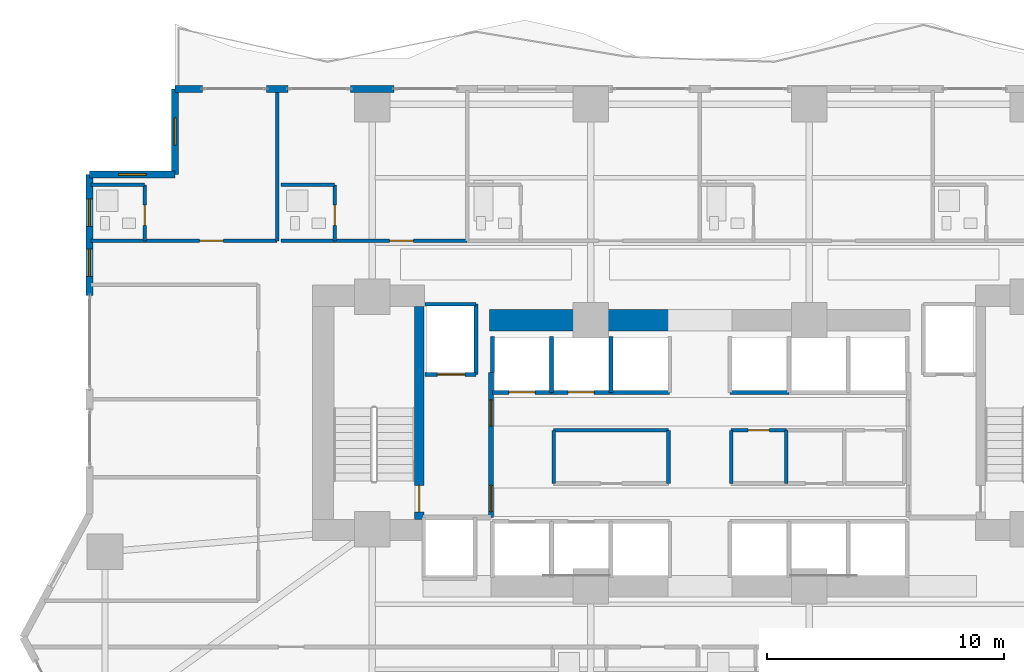
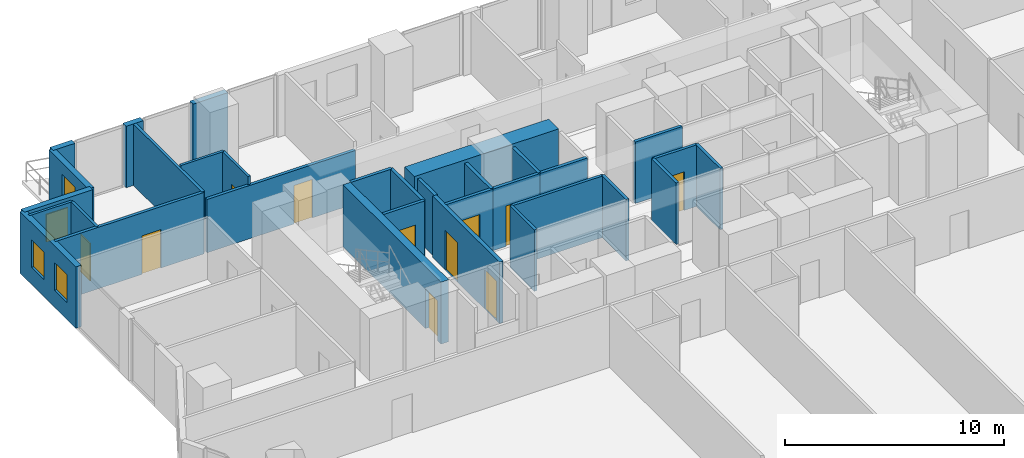
# One storey, part 21 of 30: 32 walls, 11 doors, 4 windows, 15 openings.
"""IFC4 building model written with IfcOpenShell, lengths in metres."""

from ifc_helpers import new_model, si_unit, direction, frame, frame_2d, origin, place, context, subcontext, project, spatial, rectangle, extrude, material, layer, layer_set, type_object, element, fill, save


model = new_model("IFC4")

# Units and contexts
model_context = context("Model", 3, precision=1e-05, world=origin(), true_north=direction((0.0, 1.0)))
body_context = subcontext(model_context, "Body", "Model", "MODEL_VIEW")
ifc_project = project(units=[si_unit("LENGTHUNIT", "METRE"), si_unit("AREAUNIT", "SQUARE_METRE"), si_unit("VOLUMEUNIT", "CUBIC_METRE"), si_unit("PLANEANGLEUNIT", "RADIAN"), si_unit("MASSUNIT", "GRAM", prefix="KILO")], contexts=[model_context])

# Site, building, storey
site_placement = place(None, origin())
site = spatial("IfcSite", under=ifc_project, at=site_placement, CompositionType="ELEMENT")
building_placement = place(site_placement, origin())
building = spatial("IfcBuilding", under=site, at=building_placement, Name="Zuhayl Quay Hotel", CompositionType="ELEMENT")
storey_placement = place(building_placement, frame((0.0, 0.0, 82.35009765625)))
storey = spatial("IfcBuildingStorey", under=building, at=storey_placement, Name="L20", CompositionType="ELEMENT", Elevation=82.35009765625)

# Wall
ifc_material_1 = material(Name="Concrete C70/85", Category="concrete")
ifc_layer_1 = layer(ifc_material_1, 0.89990234375, Name="Concrete C70/85", Category="concrete")
ifc_layer_set_1 = layer_set([ifc_layer_1], Name="Concrete C70/85")
wall_type_1 = type_object("IfcWallType", Name="WL_CORE_900", PredefinedType="SHEAR", material=ifc_layer_set_1)
wall_1_placement = place(storey_placement, frame((-8.85009765625, 13.35009765625, 0.0), z_axis=(0.0, 0.0, 1.0), x_axis=(1.0, 0.0, 0.0)))
element("IfcWall", 1, at=wall_1_placement, inside=storey, type_object=wall_type_1, Name="L20 Core Shear Wall CW_NC_W", PredefinedType="SHEAR", context=body_context, shape_type="SweptSolid", body=[
    extrude(rectangle(XDim=7.60009765625, YDim=0.89990234375, at=frame_2d((3.800048828125, 0.0))), origin(), (0.0, 0.0, 1.0), 3.429931640625),
])

# Wall, openings, windows
ifc_material_2 = material(Name="Precast concrete C45/55", Category="concrete")
ifc_layer_2 = layer(ifc_material_2, 0.300048828125, Name="Precast concrete C45/55", Category="concrete")
ifc_layer_set_2 = layer_set([ifc_layer_2], Name="Precast concrete C45/55")
wall_type_2 = type_object("IfcWallType", Name="WL_EXT_300", PredefinedType="STANDARD", material=ifc_layer_set_2)
wall_2_placement = place(storey_placement, frame((-25.699951171875, 14.39990234375, 0.0), z_axis=(0.0, 0.0, 1.0), x_axis=(0.0, 1.0, 0.0)))
wall_2 = element("IfcWall", 2, at=wall_2_placement, inside=storey, type_object=wall_type_2, Name="L20 Exterior Precast Wall ENV_L20_E05_EW3", PredefinedType="STANDARD", context=body_context, shape_type="SweptSolid", body=[
    extrude(rectangle(XDim=5.10009765625, YDim=0.300048828125, at=frame_2d((2.550048828125, 0.0))), origin(), (0.0, 0.0, 1.0), 3.429931640625),
])
opening_1_placement = place(wall_2_placement, frame((0.800048828125, 0.0, 0.949951171875)))
opening_1 = element("IfcOpeningElement", 3, at=opening_1_placement, cuts=wall_2, Name="Opening W01N", PredefinedType="OPENING", context=body_context, shape_type="SweptSolid", body=[
    extrude(rectangle(XDim=1.14990234375, YDim=1.550048828125, at=frame_2d((0.574951171875, 0.77490234375))), frame((0.0, 0.159912109375, 0.0), z_axis=(0.0, -1.0, 0.0), x_axis=(1.0, 0.0, 0.0)), (0.0, 0.0, 1.0), 0.320068359375),
])
opening_2_placement = place(wall_2_placement, frame((2.905029296875, 0.0, 0.949951171875)))
opening_2 = element("IfcOpeningElement", 4, at=opening_2_placement, cuts=wall_2, Name="Opening W01N", PredefinedType="OPENING", context=body_context, shape_type="SweptSolid", body=[
    extrude(rectangle(XDim=1.14990234375, YDim=1.550048828125, at=frame_2d((0.574951171875, 0.77490234375))), frame((0.0, 0.159912109375, 0.0), z_axis=(0.0, -1.0, 0.0), x_axis=(1.0, 0.0, 0.0)), (0.0, 0.0, 1.0), 0.320068359375),
])
ifc_material_3 = material(Name="Dark Ceramic-Fritted Solar Glass", Category="glass")
window_type = type_object("IfcWindowType", Name="WN_NOTCH_1350", PartitioningType="SINGLE_PANEL", PredefinedType="WINDOW", material=ifc_material_3)
window_1_placement = place(opening_1_placement, origin())
window_1 = element("IfcWindow", 5, at=window_1_placement, inside=storey, type_object=window_type, Name="L20 Operable Facade Window 3-1", OverallHeight=1.550048828125, OverallWidth=1.14990234375, PartitioningType="SINGLE_PANEL", PredefinedType="WINDOW", context=body_context, shape_type="SweptSolid", body=[
    extrude(rectangle(XDim=1.14990234375, YDim=1.550048828125, at=frame_2d((0.574951171875, 0.77490234375))), frame((0.0, 0.030029296875, 0.0), z_axis=(0.0, -1.0, 0.0), x_axis=(1.0, 0.0, 0.0)), (0.0, 0.0, 1.0), 0.06005859375),
])
fill(opening_1, window_1)
window_2_placement = place(opening_2_placement, origin())
window_2 = element("IfcWindow", 6, at=window_2_placement, inside=storey, type_object=window_type, Name="L20 Operable Facade Window 3-2", OverallHeight=1.550048828125, OverallWidth=1.14990234375, PartitioningType="SINGLE_PANEL", PredefinedType="WINDOW", context=body_context, shape_type="SweptSolid", body=[
    extrude(rectangle(XDim=1.14990234375, YDim=1.550048828125, at=frame_2d((0.574951171875, 0.77490234375))), frame((0.0, 0.030029296875, 0.0), z_axis=(0.0, -1.0, 0.0), x_axis=(1.0, 0.0, 0.0)), (0.0, 0.0, 1.0), 0.06005859375),
])
fill(opening_2, window_2)

# Wall, opening, window
wall_3_placement = place(storey_placement, frame((-25.699951171875, 19.5, 0.0), z_axis=(0.0, 0.0, 1.0), x_axis=(1.0, 0.0, 0.0)))
wall_3 = element("IfcWall", 7, at=wall_3_placement, inside=storey, type_object=wall_type_2, Name="L20 Exterior Precast Wall ENV_L20_EW06", PredefinedType="STANDARD", context=body_context, shape_type="SweptSolid", body=[
    extrude(rectangle(XDim=3.599853515625, YDim=0.300048828125, at=frame_2d((1.7998046875, 0.0))), origin(), (0.0, 0.0, 1.0), 3.429931640625),
])
opening_3_placement = place(wall_3_placement, frame((1.22509765625, 0.0, 1.25)))
opening_3 = element("IfcOpeningElement", 8, at=opening_3_placement, cuts=wall_3, Name="Opening W01N", PredefinedType="OPENING", context=body_context, shape_type="SweptSolid", body=[
    extrude(rectangle(XDim=1.14990234375, YDim=1.550048828125, at=frame_2d((0.574951171875, 0.77490234375))), frame((0.0, 0.159912109375, 0.0), z_axis=(0.0, -1.0, 0.0), x_axis=(1.0, 0.0, 0.0)), (0.0, 0.0, 1.0), 0.320068359375),
])
window_3_placement = place(opening_3_placement, origin())
window_3 = element("IfcWindow", 9, at=window_3_placement, inside=storey, type_object=window_type, Name="L20 Corner Notch Window 6", OverallHeight=1.550048828125, OverallWidth=1.14990234375, PartitioningType="SINGLE_PANEL", PredefinedType="WINDOW", context=body_context, shape_type="SweptSolid", body=[
    extrude(rectangle(XDim=1.14990234375, YDim=1.550048828125, at=frame_2d((0.574951171875, 0.77490234375))), frame((0.0, 0.030029296875, 0.0), z_axis=(0.0, -1.0, 0.0), x_axis=(1.0, 0.0, 0.0)), (0.0, 0.0, 1.0), 0.06005859375),
])
fill(opening_3, window_3)

wall_4_placement = place(storey_placement, frame((-22.10009765625, 19.5, 0.0), z_axis=(0.0, 0.0, 1.0), x_axis=(0.0, 1.0, 0.0)))
wall_4 = element("IfcWall", 10, at=wall_4_placement, inside=storey, type_object=wall_type_2, Name="L20 Exterior Precast Wall ENV_L20_EW07", PredefinedType="STANDARD", context=body_context, shape_type="SweptSolid", body=[
    extrude(rectangle(XDim=3.60009765625, YDim=0.300048828125, at=frame_2d((1.800048828125, 0.0))), origin(), (0.0, 0.0, 1.0), 3.429931640625),
])
opening_4_placement = place(wall_4_placement, frame((1.22509765625, 0.0, 1.25)))
opening_4 = element("IfcOpeningElement", 11, at=opening_4_placement, cuts=wall_4, Name="Opening W01N", PredefinedType="OPENING", context=body_context, shape_type="SweptSolid", body=[
    extrude(rectangle(XDim=1.14990234375, YDim=1.550048828125, at=frame_2d((0.574951171875, 0.77490234375))), frame((0.0, 0.159912109375, 0.0), z_axis=(0.0, -1.0, 0.0), x_axis=(1.0, 0.0, 0.0)), (0.0, 0.0, 1.0), 0.320068359375),
])
window_4_placement = place(opening_4_placement, origin())
window_4 = element("IfcWindow", 12, at=window_4_placement, inside=storey, type_object=window_type, Name="L20 Corner Notch Window 7", OverallHeight=1.550048828125, OverallWidth=1.14990234375, PartitioningType="SINGLE_PANEL", PredefinedType="WINDOW", context=body_context, shape_type="SweptSolid", body=[
    extrude(rectangle(XDim=1.14990234375, YDim=1.550048828125, at=frame_2d((0.574951171875, 0.77490234375))), frame((0.0, 0.030029296875, 0.0), z_axis=(0.0, -1.0, 0.0), x_axis=(1.0, 0.0, 0.0)), (0.0, 0.0, 1.0), 0.06005859375),
])
fill(opening_4, window_4)

# Walls
wall_5_placement = place(storey_placement, frame((-22.10009765625, 23.10009765625, 0.0), z_axis=(0.0, 0.0, 1.0), x_axis=(1.0, 0.0, 0.0)))
element("IfcWall", 13, at=wall_5_placement, inside=storey, type_object=wall_type_2, Name="L20 Exterior Precast Wall ENV_L20_N_EW1", PredefinedType="STANDARD", context=body_context, shape_type="SweptSolid", body=[
    extrude(rectangle(XDim=1.150146484375, YDim=0.300048828125, at=frame_2d((0.5751953125, 0.0))), origin(), (0.0, 0.0, 1.0), 3.429931640625),
])
wall_6_placement = place(storey_placement, frame((-18.25, 23.10009765625, 0.0), z_axis=(0.0, 0.0, 1.0), x_axis=(1.0, 0.0, 0.0)))
element("IfcWall", 14, at=wall_6_placement, inside=storey, type_object=wall_type_2, Name="L20 Exterior Precast Wall ENV_L20_N_EW2", PredefinedType="STANDARD", context=body_context, shape_type="SweptSolid", body=[
    extrude(rectangle(XDim=0.89990234375, YDim=0.300048828125, at=frame_2d((0.449951171875, 0.0))), origin(), (0.0, 0.0, 1.0), 3.429931640625),
])
wall_7_placement = place(storey_placement, frame((-14.719970703125, 23.10009765625, 0.0), z_axis=(0.0, 0.0, 1.0), x_axis=(1.0, 0.0, 0.0)))
element("IfcWall", 15, at=wall_7_placement, inside=storey, type_object=wall_type_2, Name="L20 Exterior Precast Wall ENV_L20_N_EW3", PredefinedType="STANDARD", context=body_context, shape_type="SweptSolid", body=[
    extrude(rectangle(XDim=1.840087890625, YDim=0.300048828125, at=frame_2d((0.919921875, 0.0))), origin(), (0.0, 0.0, 1.0), 3.429931640625),
])

# Wall, opening, door
ifc_material_4 = material(Name="Acoustic Gypsum Partition STC-58")
ifc_layer_3 = layer(ifc_material_4, 0.14990234375, Name="Acoustic Gypsum Partition STC-58")
ifc_layer_set_3 = layer_set([ifc_layer_3], Name="Acoustic Gypsum Partition STC-58")
wall_type_3 = type_object("IfcWallType", Name="WL_PART_150", PredefinedType="PARTITIONING", material=ifc_layer_set_3)
wall_8_placement = place(storey_placement, frame((1.320068359375, 8.719970703125, 0.0), z_axis=(0.0, 0.0, 1.0), x_axis=(1.0, 0.0, 0.0)))
wall_8 = element("IfcWall", 16, at=wall_8_placement, inside=storey, type_object=wall_type_3, Name="L20 Partition IW_L20_CORE_E1_N", PredefinedType="PARTITIONING", context=body_context, shape_type="SweptSolid", body=[
    extrude(rectangle(XDim=2.31982421875, YDim=0.14990234375, at=frame_2d((1.159912109375, 0.0))), origin(), (0.0, 0.0, 1.0), 3.429931640625),
])
opening_5_placement = place(wall_8_placement, frame((0.7099609375, 0.0, 0.0)))
opening_5 = element("IfcOpeningElement", 17, at=opening_5_placement, cuts=wall_8, Name="Opening D06", PredefinedType="OPENING", context=body_context, shape_type="SweptSolid", body=[
    extrude(rectangle(XDim=0.89990234375, YDim=2.14990234375, at=frame_2d((0.449951171875, 1.074951171875))), frame((0.0, 0.0849609375, 0.0), z_axis=(0.0, -1.0, 0.0), x_axis=(1.0, 0.0, 0.0)), (0.0, 0.0, 1.0), 0.169921875),
])
ifc_material_5 = material(Name="Steel ASTM A992 Grade 50", Category="steel")
door_type_1 = type_object("IfcDoorType", Name="DR_INT_900", OperationType="NOTDEFINED", PredefinedType="DOOR", material=ifc_material_5)
door_1_placement = place(opening_5_placement, origin())
door_1 = element("IfcDoor", 18, at=door_1_placement, inside=storey, type_object=door_type_1, Name="L20 Floor Electrical Closet Door", OperationType="SINGLE_SWING_RIGHT", OverallHeight=2.14990234375, OverallWidth=0.89990234375, PredefinedType="DOOR", context=body_context, shape_type="SweptSolid", body=[
    extrude(rectangle(XDim=0.89990234375, YDim=2.14990234375, at=frame_2d((0.449951171875, 1.074951171875))), frame((0.0, 0.02490234375, 0.0), z_axis=(0.0, -1.0, 0.0), x_axis=(1.0, 0.0, 0.0)), (0.0, 0.0, 1.0), 0.050048828125),
])
fill(opening_5, door_1)

# Walls
wall_9_placement = place(storey_placement, frame((-6.159912109375, 8.719970703125, 0.0), z_axis=(0.0, 0.0, 1.0), x_axis=(1.0, 0.0, 0.0)))
element("IfcWall", 19, at=wall_9_placement, inside=storey, type_object=wall_type_3, Name="L20 Partition IW_L20_CORE_SV_N", PredefinedType="PARTITIONING", context=body_context, shape_type="SweptSolid", body=[
    extrude(rectangle(XDim=4.83984375, YDim=0.14990234375, at=frame_2d((2.419921875, 0.0))), origin(), (0.0, 0.0, 1.0), 3.429931640625),
])
for number, where, z_axis, x_axis, name in (
    (20, (-6.159912109375, 6.47998046875, 0.0), (0.0, 0.0, 1.0), (0.0, 1.0, 0.0), "L20 Partition IW_L20_CORE_SV_W"),
    (21, (-1.320068359375, 6.47998046875, 0.0), (0.0, 0.0, 1.0), (0.0, 1.0, 0.0), "L20 Partition IW_L20_CORE_SV_E"),
    (22, (1.320068359375, 6.47998046875, 0.0), (0.0, 0.0, 1.0), (0.0, 1.0, 0.0), "L20 Partition IW_L20_CORE_E1_W"),
    (23, (3.639892578125, 6.47998046875, 0.0), (0.0, 0.0, 1.0), (0.0, 1.0, 0.0), "L20 Partition IW_L20_CORE_E1_E"),
):
    element("IfcWall", number, at=place(storey_placement, frame(where, z_axis=z_axis, x_axis=x_axis)), inside=storey, type_object=wall_type_3, Name=name, PredefinedType="PARTITIONING", context=body_context, shape_type="SweptSolid", body=[
        extrude(rectangle(XDim=2.239990234375, YDim=0.14990234375, at=frame_2d((1.1201171875, 0.0))), origin(), (0.0, 0.0, 1.0), 3.429931640625),
    ])
wall_10_placement = place(storey_placement, frame((-17.800048828125, 16.699951171875, 0.0), z_axis=(0.0, 0.0, 1.0), x_axis=(0.0, 1.0, 0.0)))
element("IfcWall", 24, at=wall_10_placement, inside=storey, type_object=wall_type_3, Name="L20 Partition IW_L20_NU01A_E", PredefinedType="PARTITIONING", context=body_context, shape_type="SweptSolid", body=[
    extrude(rectangle(XDim=6.320068359375, YDim=0.14990234375, at=frame_2d((3.16015625, 0.0))), origin(), (0.0, 0.0, 1.0), 3.429931640625),
])

# Wall, opening, door
ifc_layer_4 = layer(ifc_material_4, 0.159912109375, Name="Acoustic Gypsum Partition STC-58")
ifc_layer_set_4 = layer_set([ifc_layer_4], Name="Acoustic Gypsum Partition STC-58")
wall_type_4 = type_object("IfcWallType", Name="WL_PART_CORR_160", PredefinedType="PARTITIONING", material=ifc_layer_set_4)
wall_11_placement = place(storey_placement, frame((-25.639892578125, 16.699951171875, 0.0), z_axis=(0.0, 0.0, 1.0), x_axis=(1.0, 0.0, 0.0)))
wall_11 = element("IfcWall", 25, at=wall_11_placement, inside=storey, type_object=wall_type_4, Name="L20 Partition IW_L20_NU01A_COR", PredefinedType="PARTITIONING", context=body_context, shape_type="SweptSolid", body=[
    extrude(rectangle(XDim=7.83984375, YDim=0.159912109375, at=frame_2d((3.919921875, 0.0))), origin(), (0.0, 0.0, 1.0), 3.429931640625),
])
opening_6_placement = place(wall_11_placement, frame((4.570068359375, 0.0, 0.0)))
opening_6 = element("IfcOpeningElement", 26, at=opening_6_placement, cuts=wall_11, Name="Opening D03L", PredefinedType="OPENING", context=body_context, shape_type="SweptSolid", body=[
    extrude(rectangle(XDim=1.0, YDim=2.14990234375, at=frame_2d((0.5, 1.074951171875))), frame((0.0, 0.08984375, 0.0), z_axis=(0.0, -1.0, 0.0), x_axis=(1.0, 0.0, 0.0)), (0.0, 0.0, 1.0), 0.179931640625),
])
ifc_material_6 = material(Name="Solid Walnut Acoustic Fire Door")
door_type_2 = type_object("IfcDoorType", Name="DR_SUITE_1000", OperationType="NOTDEFINED", PredefinedType="DOOR", material=ifc_material_6)
door_2_placement = place(opening_6_placement, origin())
door_2 = element("IfcDoor", 27, at=door_2_placement, inside=storey, type_object=door_type_2, Name="L20 Deluxe Gulf Guest Room L20-01A Entrance Door", OperationType="SINGLE_SWING_RIGHT", OverallHeight=2.14990234375, OverallWidth=1.0, PredefinedType="DOOR", context=body_context, shape_type="SweptSolid", body=[
    extrude(rectangle(XDim=1.0, YDim=2.14990234375, at=frame_2d((0.5, 1.074951171875))), frame((0.0, 0.02490234375, 0.0), z_axis=(0.0, -1.0, 0.0), x_axis=(1.0, 0.0, 0.0)), (0.0, 0.0, 1.0), 0.050048828125),
])
fill(opening_6, door_2)

wall_12_placement = place(storey_placement, frame((-17.639892578125, 16.699951171875, 0.0), z_axis=(0.0, 0.0, 1.0), x_axis=(1.0, 0.0, 0.0)))
wall_12 = element("IfcWall", 28, at=wall_12_placement, inside=storey, type_object=wall_type_4, Name="L20 Partition IW_L20_NU01B_COR", PredefinedType="PARTITIONING", context=body_context, shape_type="SweptSolid", body=[
    extrude(rectangle(XDim=7.83984375, YDim=0.159912109375, at=frame_2d((3.919921875, 0.0))), origin(), (0.0, 0.0, 1.0), 2.972900390625),
])
opening_7_placement = place(wall_12_placement, frame((4.570068359375, 0.0, 0.0)))
opening_7 = element("IfcOpeningElement", 29, at=opening_7_placement, cuts=wall_12, Name="Opening D03L", PredefinedType="OPENING", context=body_context, shape_type="SweptSolid", body=[
    extrude(rectangle(XDim=1.0, YDim=2.14990234375, at=frame_2d((0.5, 1.074951171875))), frame((0.0, 0.08984375, 0.0), z_axis=(0.0, -1.0, 0.0), x_axis=(1.0, 0.0, 0.0)), (0.0, 0.0, 1.0), 0.179931640625),
])
door_3_placement = place(opening_7_placement, origin())
door_3 = element("IfcDoor", 30, at=door_3_placement, inside=storey, type_object=door_type_2, Name="L20 Deluxe Gulf Guest Room L20-01B Entrance Door", OperationType="SINGLE_SWING_RIGHT", OverallHeight=2.14990234375, OverallWidth=1.0, PredefinedType="DOOR", context=body_context, shape_type="SweptSolid", body=[
    extrude(rectangle(XDim=1.0, YDim=2.14990234375, at=frame_2d((0.5, 1.074951171875))), frame((0.0, 0.02490234375, 0.0), z_axis=(0.0, -1.0, 0.0), x_axis=(1.0, 0.0, 0.0)), (0.0, 0.0, 1.0), 0.050048828125),
])
fill(opening_7, door_3)

ifc_material_7 = material(Name="Moisture-Resistant Sanitarychase Gypsum")
ifc_layer_5 = layer(ifc_material_7, 0.135009765625, Name="Moisture-Resistant Sanitarychase Gypsum")
ifc_layer_set_5 = layer_set([ifc_layer_5], Name="Moisture-Resistant Sanitarychase Gypsum")
wall_type_5 = type_object("IfcWallType", Name="WL_PART_PLUMB_150", PredefinedType="PLUMBINGWALL", material=ifc_layer_set_5)
wall_13_placement = place(storey_placement, frame((-23.3798828125, 16.699951171875, 0.0), z_axis=(0.0, 0.0, 1.0), x_axis=(0.0, 1.0, 0.0)))
wall_13 = element("IfcWall", 31, at=wall_13_placement, inside=storey, type_object=wall_type_5, Name="L20 Partition IW_L20_NU01A_BE", PredefinedType="PLUMBINGWALL", context=body_context, shape_type="SweptSolid", body=[
    extrude(rectangle(XDim=2.360107421875, YDim=0.135009765625, at=frame_2d((1.18017578125, 0.0))), origin(), (0.0, 0.0, 1.0), 3.429931640625),
])
opening_8_placement = place(wall_13_placement, frame((0.64990234375, 0.0, 0.0)))
opening_8 = element("IfcOpeningElement", 32, at=opening_8_placement, cuts=wall_13, Name="Opening D04", PredefinedType="OPENING", context=body_context, shape_type="SweptSolid", body=[
    extrude(rectangle(XDim=0.85009765625, YDim=2.10009765625, at=frame_2d((0.425048828125, 1.050048828125))), frame((0.0, 0.077392578125, 0.0), z_axis=(0.0, -1.0, 0.0), x_axis=(1.0, 0.0, 0.0)), (0.0, 0.0, 1.0), 0.155029296875),
])
ifc_material_8 = material(Name="Moisture-Resistant Walnut Veneer")
door_type_3 = type_object("IfcDoorType", Name="DR_BATH_850", OperationType="NOTDEFINED", PredefinedType="DOOR", material=ifc_material_8)
door_4_placement = place(opening_8_placement, origin())
door_4 = element("IfcDoor", 33, at=door_4_placement, inside=storey, type_object=door_type_3, Name="L20 Deluxe Gulf Guest Room L20-01A En-Suite Door", OperationType="SINGLE_SWING_LEFT", OverallHeight=2.10009765625, OverallWidth=0.85009765625, PredefinedType="DOOR", context=body_context, shape_type="SweptSolid", body=[
    extrude(rectangle(XDim=0.85009765625, YDim=2.10009765625, at=frame_2d((0.425048828125, 1.050048828125))), frame((0.0, 0.02490234375, 0.0), z_axis=(0.0, -1.0, 0.0), x_axis=(1.0, 0.0, 0.0)), (0.0, 0.0, 1.0), 0.050048828125),
])
fill(opening_8, door_4)

wall_14_placement = place(storey_placement, frame((-15.3798828125, 16.699951171875, 0.0), z_axis=(0.0, 0.0, 1.0), x_axis=(0.0, 1.0, 0.0)))
wall_14 = element("IfcWall", 34, at=wall_14_placement, inside=storey, type_object=wall_type_5, Name="L20 Partition IW_L20_NU01B_BE", PredefinedType="PLUMBINGWALL", context=body_context, shape_type="SweptSolid", body=[
    extrude(rectangle(XDim=2.360107421875, YDim=0.135009765625, at=frame_2d((1.18017578125, 0.0))), origin(), (0.0, 0.0, 1.0), 3.429931640625),
])
opening_9_placement = place(wall_14_placement, frame((0.64990234375, 0.0, 0.0)))
opening_9 = element("IfcOpeningElement", 35, at=opening_9_placement, cuts=wall_14, Name="Opening D04", PredefinedType="OPENING", context=body_context, shape_type="SweptSolid", body=[
    extrude(rectangle(XDim=0.85009765625, YDim=2.10009765625, at=frame_2d((0.425048828125, 1.050048828125))), frame((0.0, 0.077392578125, 0.0), z_axis=(0.0, -1.0, 0.0), x_axis=(1.0, 0.0, 0.0)), (0.0, 0.0, 1.0), 0.155029296875),
])
door_5_placement = place(opening_9_placement, origin())
door_5 = element("IfcDoor", 36, at=door_5_placement, inside=storey, type_object=door_type_3, Name="L20 Deluxe Gulf Guest Room L20-01B En-Suite Door", OperationType="SINGLE_SWING_LEFT", OverallHeight=2.10009765625, OverallWidth=0.85009765625, PredefinedType="DOOR", context=body_context, shape_type="SweptSolid", body=[
    extrude(rectangle(XDim=0.85009765625, YDim=2.10009765625, at=frame_2d((0.425048828125, 1.050048828125))), frame((0.0, 0.02490234375, 0.0), z_axis=(0.0, -1.0, 0.0), x_axis=(1.0, 0.0, 0.0)), (0.0, 0.0, 1.0), 0.050048828125),
])
fill(opening_9, door_5)

# Walls
for number, where, z_axis, x_axis, name in (
    (37, (-25.639892578125, 19.06005859375, 0.0), (0.0, 0.0, 1.0), (1.0, 0.0, 0.0), "L20 Partition IW_L20_NU01A_BN"),
    (38, (-17.639892578125, 19.06005859375, 0.0), (0.0, 0.0, 1.0), (1.0, 0.0, 0.0), "L20 Partition IW_L20_NU01B_BN"),
):
    element("IfcWall", number, at=place(storey_placement, frame(where, z_axis=z_axis, x_axis=x_axis)), inside=storey, type_object=wall_type_5, Name=name, PredefinedType="PLUMBINGWALL", context=body_context, shape_type="SweptSolid", body=[
        extrude(rectangle(XDim=2.260009765625, YDim=0.135009765625, at=frame_2d((1.1298828125, 0.0))), origin(), (0.0, 0.0, 1.0), 3.429931640625),
    ])

# Wall, opening, door
ifc_material_9 = material(Name="Gypsum Fireboard Assembly EI-90")
ifc_layer_6 = layer(ifc_material_9, 0.1650390625, Name="Gypsum Fireboard Assembly EI-90")
ifc_layer_set_6 = layer_set([ifc_layer_6], Name="Gypsum Fireboard Assembly EI-90")
wall_type_6 = type_object("IfcWallType", Name="WL_PART_SHAFT_160", PredefinedType="PARTITIONING", material=ifc_layer_set_6)
wall_15_placement = place(storey_placement, frame((-11.580078125, 11.070068359375, 0.0), z_axis=(0.0, 0.0, 1.0), x_axis=(1.0, 0.0, 0.0)))
wall_15 = element("IfcWall", 39, at=wall_15_placement, inside=storey, type_object=wall_type_6, Name="L20 Partition IW_L20_SH_FL1_F", PredefinedType="PARTITIONING", context=body_context, shape_type="SweptSolid", body=[
    extrude(rectangle(XDim=2.16015625, YDim=0.1650390625, at=frame_2d((1.080078125, 0.0))), origin(), (0.0, 0.0, 1.0), 3.429931640625),
])
opening_10_placement = place(wall_15_placement, frame((0.530029296875, 0.0, 0.0)))
opening_10 = element("IfcOpeningElement", 40, at=opening_10_placement, cuts=wall_15, Name="Opening LD2", PredefinedType="OPENING", context=body_context, shape_type="SweptSolid", body=[
    extrude(rectangle(XDim=1.14990234375, YDim=2.25, at=frame_2d((0.574951171875, 1.125))), frame((0.0, 0.092529296875, 0.0), z_axis=(0.0, -1.0, 0.0), x_axis=(1.0, 0.0, 0.0)), (0.0, 0.0, 1.0), 0.18505859375),
])
ifc_material_10 = material(Name="Brushed Stainless Steel", Category="steel")
door_type_4 = type_object("IfcDoorType", Name="DR_LIFT_FF_1100", OperationType="SLIDING_TO_LEFT", PredefinedType="DOOR", material=ifc_material_10)
door_6_placement = place(opening_10_placement, origin())
door_6 = element("IfcDoor", 41, at=door_6_placement, inside=storey, type_object=door_type_4, Name="L20 Lift FL1 Sliding Landing Door", OperationType="SLIDING_TO_LEFT", OverallHeight=2.25, OverallWidth=1.14990234375, PredefinedType="DOOR", context=body_context, shape_type="SweptSolid", body=[
    extrude(rectangle(XDim=1.14990234375, YDim=2.25, at=frame_2d((0.574951171875, 1.125))), frame((0.0, 0.02490234375, 0.0), z_axis=(0.0, -1.0, 0.0), x_axis=(1.0, 0.0, 0.0)), (0.0, 0.0, 1.0), 0.050048828125),
])
fill(opening_10, door_6)

wall_16_placement = place(storey_placement, frame((-8.72998046875, 10.320068359375, 0.0), z_axis=(0.0, 0.0, 1.0), x_axis=(1.0, 0.0, 0.0)))
wall_16 = element("IfcWall", 42, at=wall_16_placement, inside=storey, type_object=wall_type_6, Name="L20 Partition IW_L20_SH_LP3_F", PredefinedType="PARTITIONING", context=body_context, shape_type="SweptSolid", body=[
    extrude(rectangle(XDim=2.47998046875, YDim=0.1650390625, at=frame_2d((1.239990234375, 0.0))), origin(), (0.0, 0.0, 1.0), 3.429931640625),
])
opening_11_placement = place(wall_16_placement, frame((0.68994140625, 0.0, 0.0)))
opening_11 = element("IfcOpeningElement", 43, at=opening_11_placement, cuts=wall_16, Name="Opening LD1", PredefinedType="OPENING", context=body_context, shape_type="SweptSolid", body=[
    extrude(rectangle(XDim=1.10009765625, YDim=2.25, at=frame_2d((0.550048828125, 1.125))), frame((0.0, 0.092529296875, 0.0), z_axis=(0.0, -1.0, 0.0), x_axis=(1.0, 0.0, 0.0)), (0.0, 0.0, 1.0), 0.18505859375),
])
door_type_5 = type_object("IfcDoorType", Name="DR_LIFT_PASS_1100", OperationType="SLIDING_TO_LEFT", PredefinedType="DOOR", material=ifc_material_10)
door_7_placement = place(opening_11_placement, origin())
door_7 = element("IfcDoor", 44, at=door_7_placement, inside=storey, type_object=door_type_5, Name="L20 Lift LP3 Sliding Landing Door", OperationType="SLIDING_TO_LEFT", OverallHeight=2.25, OverallWidth=1.10009765625, PredefinedType="DOOR", context=body_context, shape_type="SweptSolid", body=[
    extrude(rectangle(XDim=1.10009765625, YDim=2.25, at=frame_2d((0.550048828125, 1.125))), frame((0.0, 0.02490234375, 0.0), z_axis=(0.0, -1.0, 0.0), x_axis=(1.0, 0.0, 0.0)), (0.0, 0.0, 1.0), 0.050048828125),
])
fill(opening_11, door_7)

wall_17_placement = place(storey_placement, frame((-6.25, 10.320068359375, 0.0), z_axis=(0.0, 0.0, 1.0), x_axis=(1.0, 0.0, 0.0)))
wall_17 = element("IfcWall", 45, at=wall_17_placement, inside=storey, type_object=wall_type_6, Name="L20 Partition IW_L20_SH_LP4_F", PredefinedType="PARTITIONING", context=body_context, shape_type="SweptSolid", body=[
    extrude(rectangle(XDim=2.5, YDim=0.1650390625, at=frame_2d((1.25, 0.0))), origin(), (0.0, 0.0, 1.0), 3.429931640625),
])
opening_12_placement = place(wall_17_placement, frame((0.699951171875, 0.0, 0.0)))
opening_12 = element("IfcOpeningElement", 46, at=opening_12_placement, cuts=wall_17, Name="Opening LD1", PredefinedType="OPENING", context=body_context, shape_type="SweptSolid", body=[
    extrude(rectangle(XDim=1.10009765625, YDim=2.25, at=frame_2d((0.550048828125, 1.125))), frame((0.0, 0.092529296875, 0.0), z_axis=(0.0, -1.0, 0.0), x_axis=(1.0, 0.0, 0.0)), (0.0, 0.0, 1.0), 0.18505859375),
])
door_8_placement = place(opening_12_placement, origin())
door_8 = element("IfcDoor", 47, at=door_8_placement, inside=storey, type_object=door_type_5, Name="L20 Lift LP4 Sliding Landing Door", OperationType="SLIDING_TO_LEFT", OverallHeight=2.25, OverallWidth=1.10009765625, PredefinedType="DOOR", context=body_context, shape_type="SweptSolid", body=[
    extrude(rectangle(XDim=1.10009765625, YDim=2.25, at=frame_2d((0.550048828125, 1.125))), frame((0.0, 0.02490234375, 0.0), z_axis=(0.0, -1.0, 0.0), x_axis=(1.0, 0.0, 0.0)), (0.0, 0.0, 1.0), 0.050048828125),
])
fill(opening_12, door_8)

# Walls
wall_18_placement = place(storey_placement, frame((-9.419921875, 11.070068359375, 0.0), z_axis=(0.0, 0.0, 1.0), x_axis=(0.0, 1.0, 0.0)))
element("IfcWall", 48, at=wall_18_placement, inside=storey, type_object=wall_type_6, Name="L20 Partition IW_L20_SH_FL1_E", PredefinedType="PARTITIONING", context=body_context, shape_type="SweptSolid", body=[
    extrude(rectangle(XDim=2.9599609375, YDim=0.1650390625, at=frame_2d((1.47998046875, 0.0))), origin(), (0.0, 0.0, 1.0), 3.429931640625),
])
wall_19_placement = place(storey_placement, frame((-11.580078125, 14.030029296875, 0.0), z_axis=(0.0, 0.0, 1.0), x_axis=(1.0, 0.0, 0.0)))
element("IfcWall", 49, at=wall_19_placement, inside=storey, type_object=wall_type_6, Name="L20 Partition IW_L20_SH_FL1_B", PredefinedType="PARTITIONING", context=body_context, shape_type="SweptSolid", body=[
    extrude(rectangle(XDim=2.16015625, YDim=0.1650390625, at=frame_2d((1.080078125, 0.0))), origin(), (0.0, 0.0, 1.0), 3.429931640625),
])
wall_20_placement = place(storey_placement, frame((-8.72998046875, 11.14990234375, 0.0), z_axis=(0.0, 0.0, 1.0), x_axis=(0.0, 1.0, 0.0)))
element("IfcWall", 50, at=wall_20_placement, inside=storey, type_object=wall_type_6, Name="L20 Partition IW_L20_SH_LP3_W", PredefinedType="PARTITIONING", context=body_context, shape_type="SweptSolid", body=[
    extrude(rectangle(XDim=1.530029296875, YDim=0.1650390625, at=frame_2d((0.76513671875, 0.0))), origin(), (0.0, 0.0, 1.0), 3.429931640625),
])
for number, where, z_axis, x_axis, name in (
    (51, (-6.25, 10.320068359375, 0.0), (0.0, 0.0, 1.0), (0.0, 1.0, 0.0), "L20 Partition IW_L20_SH_LP3_E"),
    (52, (-3.75, 10.320068359375, 0.0), (0.0, 0.0, 1.0), (0.0, 1.0, 0.0), "L20 Partition IW_L20_SH_LP4_E"),
):
    element("IfcWall", number, at=place(storey_placement, frame(where, z_axis=z_axis, x_axis=x_axis)), inside=storey, type_object=wall_type_6, Name=name, PredefinedType="PARTITIONING", context=body_context, shape_type="SweptSolid", body=[
        extrude(rectangle(XDim=2.35986328125, YDim=0.1650390625, at=frame_2d((1.179931640625, 0.0))), origin(), (0.0, 0.0, 1.0), 3.429931640625),
    ])
for number, where, z_axis, x_axis, name in (
    (53, (-3.75, 10.320068359375, 0.0), (0.0, 0.0, 1.0), (1.0, 0.0, 0.0), "L20 Partition IW_L20_SH_MP3_F"),
    (54, (1.27001953125, 10.320068359375, 0.0), (0.0, 0.0, 1.0), (1.0, 0.0, 0.0), "L20 Partition IW_L20_SH_MP4_F"),
):
    element("IfcWall", number, at=place(storey_placement, frame(where, z_axis=z_axis, x_axis=x_axis)), inside=storey, type_object=wall_type_6, Name=name, PredefinedType="PARTITIONING", context=body_context, shape_type="SweptSolid", body=[
        extrude(rectangle(XDim=2.47998046875, YDim=0.1650390625, at=frame_2d((1.239990234375, 0.0))), origin(), (0.0, 0.0, 1.0), 3.429931640625),
    ])

# Wall, openings, doors
ifc_material_11 = material(Name="Gypsum Fireboard Assembly EI-120")
ifc_layer_7 = layer(ifc_material_11, 0.199951171875, Name="Gypsum Fireboard Assembly EI-120")
ifc_layer_set_7 = layer_set([ifc_layer_7], Name="Gypsum Fireboard Assembly EI-120")
wall_type_7 = type_object("IfcWallType", Name="WL_PART_SHAFT_200", PredefinedType="PARTITIONING", material=ifc_layer_set_7)
wall_21_placement = place(storey_placement, frame((-8.800048828125, 5.050048828125, 0.0), z_axis=(0.0, 0.0, 1.0), x_axis=(0.0, 1.0, 0.0)))
wall_21 = element("IfcWall", 55, at=wall_21_placement, inside=storey, type_object=wall_type_7, Name="L20 Partition IW_L20_FSAE_W_E", PredefinedType="PARTITIONING", context=body_context, shape_type="SweptSolid", body=[
    extrude(rectangle(XDim=6.099853515625, YDim=0.199951171875, at=frame_2d((3.0498046875, 0.0))), origin(), (0.0, 0.0, 1.0), 3.429931640625),
])
opening_13_placement = place(wall_21_placement, frame((0.25, 0.0, 0.0)))
opening_13 = element("IfcOpeningElement", 56, at=opening_13_placement, cuts=wall_21, Name="Opening D02", PredefinedType="OPENING", context=body_context, shape_type="SweptSolid", body=[
    extrude(rectangle(XDim=1.10009765625, YDim=2.199951171875, at=frame_2d((0.550048828125, 1.10009765625))), frame((0.0, 0.10986328125, 0.0), z_axis=(0.0, -1.0, 0.0), x_axis=(1.0, 0.0, 0.0)), (0.0, 0.0, 1.0), 0.219970703125),
])
opening_14_placement = place(wall_21_placement, frame((3.85009765625, 0.0, 0.0)))
opening_14 = element("IfcOpeningElement", 57, at=opening_14_placement, cuts=wall_21, Name="Opening D02", PredefinedType="OPENING", context=body_context, shape_type="SweptSolid", body=[
    extrude(rectangle(XDim=1.10009765625, YDim=2.199951171875, at=frame_2d((0.550048828125, 1.10009765625))), frame((0.0, 0.10986328125, 0.0), z_axis=(0.0, -1.0, 0.0), x_axis=(1.0, 0.0, 0.0)), (0.0, 0.0, 1.0), 0.219970703125),
])
door_type_6 = type_object("IfcDoorType", Name="DR_FIRE_90_1100", OperationType="NOTDEFINED", PredefinedType="DOOR", material=ifc_material_5)
door_9_placement = place(opening_13_placement, origin())
door_9 = element("IfcDoor", 58, at=door_9_placement, inside=storey, type_object=door_type_6, Name="L20 FSAE Lobby West South Entry Door", OperationType="SINGLE_SWING_LEFT", OverallHeight=2.199951171875, OverallWidth=1.10009765625, PredefinedType="DOOR", context=body_context, shape_type="SweptSolid", body=[
    extrude(rectangle(XDim=1.10009765625, YDim=2.199951171875, at=frame_2d((0.550048828125, 1.10009765625))), frame((0.0, 0.02490234375, 0.0), z_axis=(0.0, -1.0, 0.0), x_axis=(1.0, 0.0, 0.0)), (0.0, 0.0, 1.0), 0.050048828125),
])
fill(opening_13, door_9)
door_10_placement = place(opening_14_placement, origin())
door_10 = element("IfcDoor", 59, at=door_10_placement, inside=storey, type_object=door_type_6, Name="L20 FSAE Lobby West North Entry Door", OperationType="SINGLE_SWING_RIGHT", OverallHeight=2.199951171875, OverallWidth=1.10009765625, PredefinedType="DOOR", context=body_context, shape_type="SweptSolid", body=[
    extrude(rectangle(XDim=1.10009765625, YDim=2.199951171875, at=frame_2d((0.550048828125, 1.10009765625))), frame((0.0, 0.02490234375, 0.0), z_axis=(0.0, -1.0, 0.0), x_axis=(1.0, 0.0, 0.0)), (0.0, 0.0, 1.0), 0.050048828125),
])
fill(opening_14, door_10)

# Wall, opening, door
ifc_material_12 = material(Name="Concrete C60/75", Category="concrete")
ifc_layer_8 = layer(ifc_material_12, 0.39990234375, Name="Concrete C60/75", Category="concrete")
ifc_layer_set_8 = layer_set([ifc_layer_8], Name="Concrete C60/75")
wall_type_8 = type_object("IfcWallType", Name="WL_STAIR_400", PredefinedType="SHEAR", material=ifc_layer_set_8)
wall_22_placement = place(storey_placement, frame((-11.820068359375, 4.969970703125, 0.0), z_axis=(0.0, 0.0, 1.0), x_axis=(0.0, 1.0, 0.0)))
wall_22 = element("IfcWall", 60, at=wall_22_placement, inside=storey, type_object=wall_type_8, Name="L20 Core Shear Wall SW_ST1", PredefinedType="SHEAR", context=body_context, shape_type="SweptSolid", body=[
    extrude(rectangle(XDim=8.9599609375, YDim=0.39990234375, at=frame_2d((4.47998046875, 0.0))), origin(), (0.0, 0.0, 1.0), 3.4599609375),
])
opening_15_placement = place(wall_22_placement, frame((0.31005859375, 0.0, 0.0)))
opening_15 = element("IfcOpeningElement", 61, at=opening_15_placement, cuts=wall_22, Name="Opening D01", PredefinedType="OPENING", context=body_context, shape_type="SweptSolid", body=[
    extrude(rectangle(XDim=1.1201171875, YDim=2.219970703125, at=frame_2d((0.56005859375, 1.10986328125))), frame((0.0, 0.2099609375, 0.0), z_axis=(0.0, -1.0, 0.0), x_axis=(1.0, 0.0, 0.0)), (0.0, 0.0, 1.0), 0.419921875),
])
door_type_7 = type_object("IfcDoorType", Name="DR_STAIR_90_1100", OperationType="NOTDEFINED", PredefinedType="DOOR", material=ifc_material_5)
door_11_placement = place(opening_15_placement, origin())
door_11 = element("IfcDoor", 62, at=door_11_placement, inside=storey, type_object=door_type_7, Name="L20 Smokeproof Exit Stair ST1 Door", OperationType="SINGLE_SWING_LEFT", OverallHeight=2.219970703125, OverallWidth=1.1201171875, PredefinedType="DOOR", context=body_context, shape_type="SweptSolid", body=[
    extrude(rectangle(XDim=1.1201171875, YDim=2.219970703125, at=frame_2d((0.56005859375, 1.10986328125))), frame((0.0, 0.02490234375, 0.0), z_axis=(0.0, -1.0, 0.0), x_axis=(1.0, 0.0, 0.0)), (0.0, 0.0, 1.0), 0.050048828125),
])
fill(opening_15, door_11)

save(model, "model.ifc")
